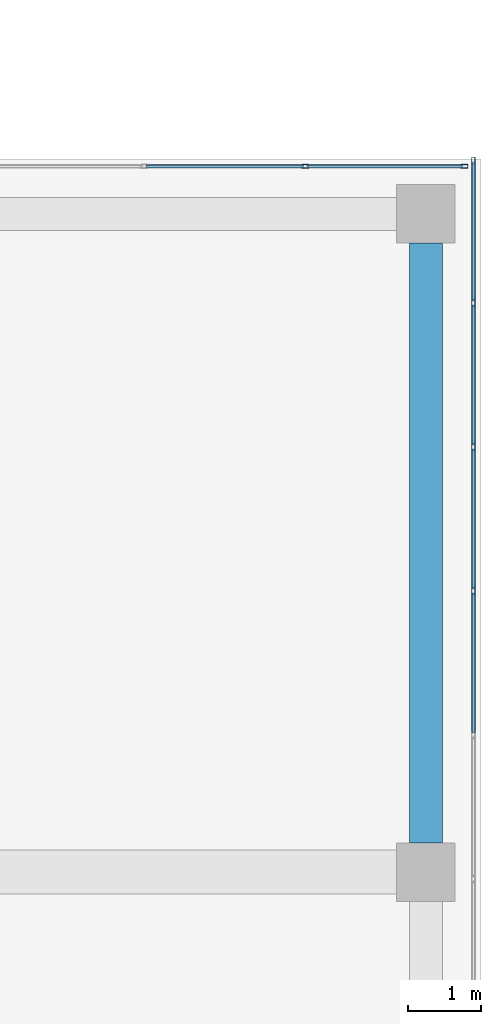
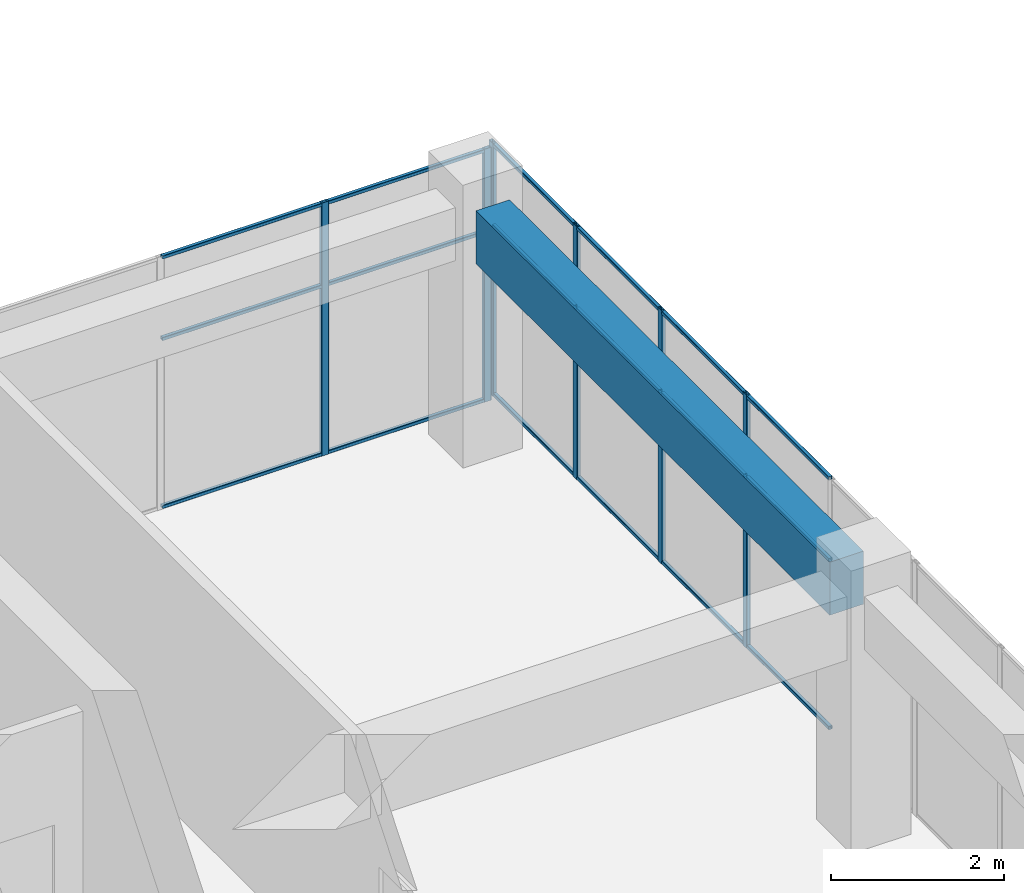
# One storey, part 30 of 52: 24 members, 1 beam, 2 elements without a shape of their own.
"""IFC4 building model written with IfcOpenShell, lengths in metres."""

from ifc_helpers import new_model, si_unit, direction, frame, origin, origin_2d, place, context, subcontext, project, spatial, rectangle, hollow_rectangle, extrude, material, layer, layer_set, material_profile, profile_set, type_object, element, aggregate, save


model = new_model("IFC4")

# Units and contexts
model_context = context("Model", 3, precision=1e-05, world=origin(), true_north=direction((0.0, 1.0)))
body_context = subcontext(model_context, "Body", "Model", "MODEL_VIEW")
ifc_project = project(units=[si_unit("LENGTHUNIT", "METRE"), si_unit("AREAUNIT", "SQUARE_METRE"), si_unit("VOLUMEUNIT", "CUBIC_METRE"), si_unit("PLANEANGLEUNIT", "RADIAN"), si_unit("MASSUNIT", "GRAM", prefix="KILO")], contexts=[model_context])

# Site, building, storey
site_placement = place(None, origin())
site = spatial("IfcSite", under=ifc_project, at=site_placement, CompositionType="ELEMENT")
building_placement = place(site_placement, origin())
building = spatial("IfcBuilding", under=site, at=building_placement, Name="Tuart Plaza Theatre", CompositionType="ELEMENT")
storey_placement = place(building_placement, frame((0.0, 0.0, 25.5)))
storey = spatial("IfcBuildingStorey", under=building, at=storey_placement, Name="L06", CompositionType="ELEMENT", Elevation=25.5)

# Beam
ifc_material_1 = material(Name="Concrete N40 (40 MPa)", Category="concrete")
ifc_material_profile_1 = material_profile(ifc_material_1, rectangle(XDim=0.449951171875, YDim=0.75, at=origin_2d()), Name="BEAM 450x750 Concrete N40 (40 MPa)")
ifc_profile_set_1 = profile_set([ifc_material_profile_1], Name="Concrete N40 (40 MPa)")
beam_type = type_object("IfcBeamType", Name="BEAM 450x750 Concrete N40 (40 MPa)", PredefinedType="BEAM", material=ifc_profile_set_1)
beam_placement = place(storey_placement, frame((150.0, 74.39990234375, 3.205078125), z_axis=(0.0, 1.0, 0.0), x_axis=(-1.0, 0.0, 0.0)))
element("IfcBeam", 1, at=beam_placement, inside=storey, type_object=beam_type, Name="RB240", PredefinedType="BEAM", context=body_context, shape_type="SweptSolid", body=[
    extrude(rectangle(XDim=0.449951171875, YDim=0.75, at=origin_2d()), origin(), (0.0, 0.0, 1.0), 8.2001953125),
])

# Curtain wall, members
ifc_material_2 = material(Name="Aluminium and glass", Category="aluminium")
ifc_layer = layer(ifc_material_2, 0.10009765625)
ifc_layer_set = layer_set([ifc_layer], Name="CURTAIN WALL 2000 module")
curtain_wall_type = type_object("IfcCurtainWallType", Name="CURTAIN WALL 2000 module", PredefinedType="NOTDEFINED", material=ifc_layer_set)
curtain_wall_1_placement = place(storey_placement, origin())
curtain_wall_1 = element("IfcCurtainWall", 2, at=curtain_wall_1_placement, inside=storey, type_object=curtain_wall_type, Name="CW78", PredefinedType="NOTDEFINED")
ifc_material_3 = material(Name="Aluminium 6063-T5", Category="aluminium")
ifc_material_profile_2 = material_profile(ifc_material_3, hollow_rectangle(XDim=0.050048828125, YDim=0.10009765625, WallThickness=0.00390625, InnerFilletRadius=0.00390625, OuterFilletRadius=0.008056640625, at=origin_2d()), Name="RHS 100x50x4")
ifc_profile_set_2 = profile_set([ifc_material_profile_2], Name="Aluminium 6063-T5")
member_type_1 = type_object("IfcMemberType", Name="MULLION RHS 100x50x4", PredefinedType="MULLION", material=ifc_profile_set_2)
member_1_placement = place(storey_placement, frame((150.64990234375, 77.84375, 0.0), z_axis=(0.0, 0.0, 1.0), x_axis=(-1.0, 0.0, 0.0)))
member_1 = element("IfcMember", 3, at=member_1_placement, type_object=member_type_1, Name="CW78 mullion 14", PredefinedType="MULLION", context=body_context, shape_type="SweptSolid", body=[
    extrude(hollow_rectangle(XDim=0.050048828125, YDim=0.10009765625, WallThickness=0.00390625, InnerFilletRadius=0.00390625, OuterFilletRadius=0.008056640625, at=origin_2d()), origin(), (0.0, 0.0, 1.0), 3.580078125),
])
member_2_placement = place(storey_placement, frame((150.64990234375, 79.8125, 0.0), z_axis=(0.0, 0.0, 1.0), x_axis=(-1.0, 0.0, 0.0)))
member_2 = element("IfcMember", 4, at=member_2_placement, type_object=member_type_1, Name="CW78 mullion 15", PredefinedType="MULLION", context=body_context, shape_type="SweptSolid", body=[
    extrude(hollow_rectangle(XDim=0.050048828125, YDim=0.10009765625, WallThickness=0.00390625, InnerFilletRadius=0.00390625, OuterFilletRadius=0.008056640625, at=origin_2d()), origin(), (0.0, 0.0, 1.0), 3.580078125),
])
member_3_placement = place(storey_placement, frame((150.64990234375, 81.78125, 0.0), z_axis=(0.0, 0.0, 1.0), x_axis=(-1.0, 0.0, 0.0)))
member_3 = element("IfcMember", 5, at=member_3_placement, type_object=member_type_1, Name="CW78 mullion 16", PredefinedType="MULLION", context=body_context, shape_type="SweptSolid", body=[
    extrude(hollow_rectangle(XDim=0.050048828125, YDim=0.10009765625, WallThickness=0.00390625, InnerFilletRadius=0.00390625, OuterFilletRadius=0.008056640625, at=origin_2d()), origin(), (0.0, 0.0, 1.0), 3.580078125),
])
member_4_placement = place(storey_placement, frame((150.64990234375, 83.72509765625, 0.0), z_axis=(0.0, 0.0, 1.0), x_axis=(-1.0, 0.0, 0.0)))
member_4 = element("IfcMember", 6, at=member_4_placement, type_object=member_type_1, Name="CW78 mullion 17", PredefinedType="MULLION", context=body_context, shape_type="SweptSolid", body=[
    extrude(hollow_rectangle(XDim=0.050048828125, YDim=0.10009765625, WallThickness=0.00390625, InnerFilletRadius=0.00390625, OuterFilletRadius=0.008056640625, at=origin_2d()), origin(), (0.0, 0.0, 1.0), 3.580078125),
])

curtain_wall_2_placement = place(storey_placement, origin())
curtain_wall_2 = element("IfcCurtainWall", 7, at=curtain_wall_2_placement, inside=storey, type_object=curtain_wall_type, Name="CW79", PredefinedType="NOTDEFINED")
member_5_placement = place(storey_placement, frame((150.52490234375, 83.64990234375, 0.0), z_axis=(0.0, 0.0, 1.0), x_axis=(0.0, -1.0, 0.0)))
member_5 = element("IfcMember", 8, at=member_5_placement, type_object=member_type_1, Name="CW79 mullion 1", PredefinedType="MULLION", context=body_context, shape_type="SweptSolid", body=[
    extrude(hollow_rectangle(XDim=0.050048828125, YDim=0.10009765625, WallThickness=0.00390625, InnerFilletRadius=0.00390625, OuterFilletRadius=0.008056640625, at=origin_2d()), origin(), (0.0, 0.0, 1.0), 3.580078125),
])
member_6_placement = place(storey_placement, frame((148.35009765625, 83.64990234375, 0.0), z_axis=(0.0, 0.0, 1.0), x_axis=(0.0, -1.0, 0.0)))
member_6 = element("IfcMember", 9, at=member_6_placement, type_object=member_type_1, Name="CW79 mullion 2", PredefinedType="MULLION", context=body_context, shape_type="SweptSolid", body=[
    extrude(hollow_rectangle(XDim=0.050048828125, YDim=0.10009765625, WallThickness=0.00390625, InnerFilletRadius=0.00390625, OuterFilletRadius=0.008056640625, at=origin_2d()), origin(), (0.0, 0.0, 1.0), 3.580078125),
])

# Member
ifc_material_4 = material(Name="Aluminium 6063-T5", Category="aluminium")
ifc_material_profile_3 = material_profile(ifc_material_4, hollow_rectangle(XDim=0.050048828125, YDim=0.050048828125, WallThickness=0.00390625, InnerFilletRadius=0.00390625, OuterFilletRadius=0.008056640625, at=origin_2d()), Name="RHS 50x50x4")
ifc_profile_set_3 = profile_set([ifc_material_profile_3], Name="Aluminium 6063-T5")
member_type_2 = type_object("IfcMemberType", Name="TRANSOM RHS 50x50x4", PredefinedType="USERDEFINED", material=ifc_profile_set_3)
member_7_placement = place(storey_placement, frame((150.64990234375, 75.89990234375, 0.02490234375), z_axis=(0.0, 1.0, 0.0), x_axis=(-1.0, 0.0, 0.0)))
member_7 = element("IfcMember", 10, at=member_7_placement, type_object=member_type_2, Name="CW78 transom 13.1", ObjectType="TRANSOM", PredefinedType="USERDEFINED", context=body_context, shape_type="SweptSolid", body=[
    extrude(hollow_rectangle(XDim=0.050048828125, YDim=0.050048828125, WallThickness=0.00390625, InnerFilletRadius=0.00390625, OuterFilletRadius=0.008056640625, at=origin_2d()), origin(), (0.0, 0.0, 1.0), 1.9189453125),
])

member_8_placement = place(storey_placement, frame((150.64990234375, 75.89990234375, 2.39990234375), z_axis=(0.0, 1.0, 0.0), x_axis=(-1.0, 0.0, 0.0)))
member_8 = element("IfcMember", 11, at=member_8_placement, type_object=member_type_2, Name="CW78 transom 13.2", ObjectType="TRANSOM", PredefinedType="USERDEFINED", context=body_context, shape_type="SweptSolid", body=[
    extrude(hollow_rectangle(XDim=0.050048828125, YDim=0.050048828125, WallThickness=0.00390625, InnerFilletRadius=0.00390625, OuterFilletRadius=0.008056640625, at=origin_2d()), origin(), (0.0, 0.0, 1.0), 1.9189453125),
])

member_9_placement = place(storey_placement, frame((150.64990234375, 75.89990234375, 3.554931640625), z_axis=(0.0, 1.0, 0.0), x_axis=(-1.0, 0.0, 0.0)))
member_9 = element("IfcMember", 12, at=member_9_placement, type_object=member_type_2, Name="CW78 transom 13.3", ObjectType="TRANSOM", PredefinedType="USERDEFINED", context=body_context, shape_type="SweptSolid", body=[
    extrude(hollow_rectangle(XDim=0.050048828125, YDim=0.050048828125, WallThickness=0.00390625, InnerFilletRadius=0.00390625, OuterFilletRadius=0.008056640625, at=origin_2d()), origin(), (0.0, 0.0, 1.0), 1.9189453125),
])

member_10_placement = place(storey_placement, frame((150.64990234375, 77.86865234375, 0.02490234375), z_axis=(0.0, 1.0, 0.0), x_axis=(-1.0, 0.0, 0.0)))
member_10 = element("IfcMember", 13, at=member_10_placement, type_object=member_type_2, Name="CW78 transom 14.1", ObjectType="TRANSOM", PredefinedType="USERDEFINED", context=body_context, shape_type="SweptSolid", body=[
    extrude(hollow_rectangle(XDim=0.050048828125, YDim=0.050048828125, WallThickness=0.00390625, InnerFilletRadius=0.00390625, OuterFilletRadius=0.008056640625, at=origin_2d()), origin(), (0.0, 0.0, 1.0), 1.9189453125),
])

member_11_placement = place(storey_placement, frame((150.64990234375, 77.86865234375, 2.39990234375), z_axis=(0.0, 1.0, 0.0), x_axis=(-1.0, 0.0, 0.0)))
member_11 = element("IfcMember", 14, at=member_11_placement, type_object=member_type_2, Name="CW78 transom 14.2", ObjectType="TRANSOM", PredefinedType="USERDEFINED", context=body_context, shape_type="SweptSolid", body=[
    extrude(hollow_rectangle(XDim=0.050048828125, YDim=0.050048828125, WallThickness=0.00390625, InnerFilletRadius=0.00390625, OuterFilletRadius=0.008056640625, at=origin_2d()), origin(), (0.0, 0.0, 1.0), 1.9189453125),
])

member_12_placement = place(storey_placement, frame((150.64990234375, 77.86865234375, 3.554931640625), z_axis=(0.0, 1.0, 0.0), x_axis=(-1.0, 0.0, 0.0)))
member_12 = element("IfcMember", 15, at=member_12_placement, type_object=member_type_2, Name="CW78 transom 14.3", ObjectType="TRANSOM", PredefinedType="USERDEFINED", context=body_context, shape_type="SweptSolid", body=[
    extrude(hollow_rectangle(XDim=0.050048828125, YDim=0.050048828125, WallThickness=0.00390625, InnerFilletRadius=0.00390625, OuterFilletRadius=0.008056640625, at=origin_2d()), origin(), (0.0, 0.0, 1.0), 1.9189453125),
])

member_13_placement = place(storey_placement, frame((150.64990234375, 79.83740234375, 0.02490234375), z_axis=(0.0, 1.0, 0.0), x_axis=(-1.0, 0.0, 0.0)))
member_13 = element("IfcMember", 16, at=member_13_placement, type_object=member_type_2, Name="CW78 transom 15.1", ObjectType="TRANSOM", PredefinedType="USERDEFINED", context=body_context, shape_type="SweptSolid", body=[
    extrude(hollow_rectangle(XDim=0.050048828125, YDim=0.050048828125, WallThickness=0.00390625, InnerFilletRadius=0.00390625, OuterFilletRadius=0.008056640625, at=origin_2d()), origin(), (0.0, 0.0, 1.0), 1.9189453125),
])

member_14_placement = place(storey_placement, frame((150.64990234375, 79.83740234375, 2.39990234375), z_axis=(0.0, 1.0, 0.0), x_axis=(-1.0, 0.0, 0.0)))
member_14 = element("IfcMember", 17, at=member_14_placement, type_object=member_type_2, Name="CW78 transom 15.2", ObjectType="TRANSOM", PredefinedType="USERDEFINED", context=body_context, shape_type="SweptSolid", body=[
    extrude(hollow_rectangle(XDim=0.050048828125, YDim=0.050048828125, WallThickness=0.00390625, InnerFilletRadius=0.00390625, OuterFilletRadius=0.008056640625, at=origin_2d()), origin(), (0.0, 0.0, 1.0), 1.9189453125),
])

member_15_placement = place(storey_placement, frame((150.64990234375, 79.83740234375, 3.554931640625), z_axis=(0.0, 1.0, 0.0), x_axis=(-1.0, 0.0, 0.0)))
member_15 = element("IfcMember", 18, at=member_15_placement, type_object=member_type_2, Name="CW78 transom 15.3", ObjectType="TRANSOM", PredefinedType="USERDEFINED", context=body_context, shape_type="SweptSolid", body=[
    extrude(hollow_rectangle(XDim=0.050048828125, YDim=0.050048828125, WallThickness=0.00390625, InnerFilletRadius=0.00390625, OuterFilletRadius=0.008056640625, at=origin_2d()), origin(), (0.0, 0.0, 1.0), 1.9189453125),
])

member_16_placement = place(storey_placement, frame((150.64990234375, 81.80615234375, 0.02490234375), z_axis=(0.0, 1.0, 0.0), x_axis=(-1.0, 0.0, 0.0)))
member_16 = element("IfcMember", 19, at=member_16_placement, type_object=member_type_2, Name="CW78 transom 16.1", ObjectType="TRANSOM", PredefinedType="USERDEFINED", context=body_context, shape_type="SweptSolid", body=[
    extrude(hollow_rectangle(XDim=0.050048828125, YDim=0.050048828125, WallThickness=0.00390625, InnerFilletRadius=0.00390625, OuterFilletRadius=0.008056640625, at=origin_2d()), origin(), (0.0, 0.0, 1.0), 1.893798828125),
])

member_17_placement = place(storey_placement, frame((150.64990234375, 81.80615234375, 2.39990234375), z_axis=(0.0, 1.0, 0.0), x_axis=(-1.0, 0.0, 0.0)))
member_17 = element("IfcMember", 20, at=member_17_placement, type_object=member_type_2, Name="CW78 transom 16.2", ObjectType="TRANSOM", PredefinedType="USERDEFINED", context=body_context, shape_type="SweptSolid", body=[
    extrude(hollow_rectangle(XDim=0.050048828125, YDim=0.050048828125, WallThickness=0.00390625, InnerFilletRadius=0.00390625, OuterFilletRadius=0.008056640625, at=origin_2d()), origin(), (0.0, 0.0, 1.0), 1.893798828125),
])

member_18_placement = place(storey_placement, frame((150.64990234375, 81.80615234375, 3.554931640625), z_axis=(0.0, 1.0, 0.0), x_axis=(-1.0, 0.0, 0.0)))
member_18 = element("IfcMember", 21, at=member_18_placement, type_object=member_type_2, Name="CW78 transom 16.3", ObjectType="TRANSOM", PredefinedType="USERDEFINED", context=body_context, shape_type="SweptSolid", body=[
    extrude(hollow_rectangle(XDim=0.050048828125, YDim=0.050048828125, WallThickness=0.00390625, InnerFilletRadius=0.00390625, OuterFilletRadius=0.008056640625, at=origin_2d()), origin(), (0.0, 0.0, 1.0), 1.893798828125),
])

aggregate(curtain_wall_1, [member_1, member_2, member_3, member_4, member_7, member_8, member_9, member_10, member_11, member_12, member_13, member_14, member_15, member_16, member_17, member_18])

member_19_placement = place(storey_placement, frame((150.5, 83.64990234375, 0.02490234375), z_axis=(-1.0, 0.0, 0.0), x_axis=(0.0, -1.0, 0.0)))
member_19 = element("IfcMember", 22, at=member_19_placement, type_object=member_type_2, Name="CW79 transom 1.1", ObjectType="TRANSOM", PredefinedType="USERDEFINED", context=body_context, shape_type="SweptSolid", body=[
    extrude(hollow_rectangle(XDim=0.050048828125, YDim=0.050048828125, WallThickness=0.00390625, InnerFilletRadius=0.00390625, OuterFilletRadius=0.008056640625, at=origin_2d()), origin(), (0.0, 0.0, 1.0), 2.125),
])

member_20_placement = place(storey_placement, frame((150.5, 83.64990234375, 2.39990234375), z_axis=(-1.0, 0.0, 0.0), x_axis=(0.0, -1.0, 0.0)))
member_20 = element("IfcMember", 23, at=member_20_placement, type_object=member_type_2, Name="CW79 transom 1.2", ObjectType="TRANSOM", PredefinedType="USERDEFINED", context=body_context, shape_type="SweptSolid", body=[
    extrude(hollow_rectangle(XDim=0.050048828125, YDim=0.050048828125, WallThickness=0.00390625, InnerFilletRadius=0.00390625, OuterFilletRadius=0.008056640625, at=origin_2d()), origin(), (0.0, 0.0, 1.0), 2.125),
])

member_21_placement = place(storey_placement, frame((150.5, 83.64990234375, 3.554931640625), z_axis=(-1.0, 0.0, 0.0), x_axis=(0.0, -1.0, 0.0)))
member_21 = element("IfcMember", 24, at=member_21_placement, type_object=member_type_2, Name="CW79 transom 1.3", ObjectType="TRANSOM", PredefinedType="USERDEFINED", context=body_context, shape_type="SweptSolid", body=[
    extrude(hollow_rectangle(XDim=0.050048828125, YDim=0.050048828125, WallThickness=0.00390625, InnerFilletRadius=0.00390625, OuterFilletRadius=0.008056640625, at=origin_2d()), origin(), (0.0, 0.0, 1.0), 2.125),
])

member_22_placement = place(storey_placement, frame((148.324951171875, 83.64990234375, 0.02490234375), z_axis=(-1.0, 0.0, 0.0), x_axis=(0.0, -1.0, 0.0)))
member_22 = element("IfcMember", 25, at=member_22_placement, type_object=member_type_2, Name="CW79 transom 2.1", ObjectType="TRANSOM", PredefinedType="USERDEFINED", context=body_context, shape_type="SweptSolid", body=[
    extrude(hollow_rectangle(XDim=0.050048828125, YDim=0.050048828125, WallThickness=0.00390625, InnerFilletRadius=0.00390625, OuterFilletRadius=0.008056640625, at=origin_2d()), origin(), (0.0, 0.0, 1.0), 2.14990234375),
])

member_23_placement = place(storey_placement, frame((148.324951171875, 83.64990234375, 2.39990234375), z_axis=(-1.0, 0.0, 0.0), x_axis=(0.0, -1.0, 0.0)))
member_23 = element("IfcMember", 26, at=member_23_placement, type_object=member_type_2, Name="CW79 transom 2.2", ObjectType="TRANSOM", PredefinedType="USERDEFINED", context=body_context, shape_type="SweptSolid", body=[
    extrude(hollow_rectangle(XDim=0.050048828125, YDim=0.050048828125, WallThickness=0.00390625, InnerFilletRadius=0.00390625, OuterFilletRadius=0.008056640625, at=origin_2d()), origin(), (0.0, 0.0, 1.0), 2.14990234375),
])

member_24_placement = place(storey_placement, frame((148.324951171875, 83.64990234375, 3.554931640625), z_axis=(-1.0, 0.0, 0.0), x_axis=(0.0, -1.0, 0.0)))
member_24 = element("IfcMember", 27, at=member_24_placement, type_object=member_type_2, Name="CW79 transom 2.3", ObjectType="TRANSOM", PredefinedType="USERDEFINED", context=body_context, shape_type="SweptSolid", body=[
    extrude(hollow_rectangle(XDim=0.050048828125, YDim=0.050048828125, WallThickness=0.00390625, InnerFilletRadius=0.00390625, OuterFilletRadius=0.008056640625, at=origin_2d()), origin(), (0.0, 0.0, 1.0), 2.14990234375),
])

aggregate(curtain_wall_2, [member_5, member_6, member_19, member_20, member_21, member_22, member_23, member_24])

save(model, "model.ifc")
